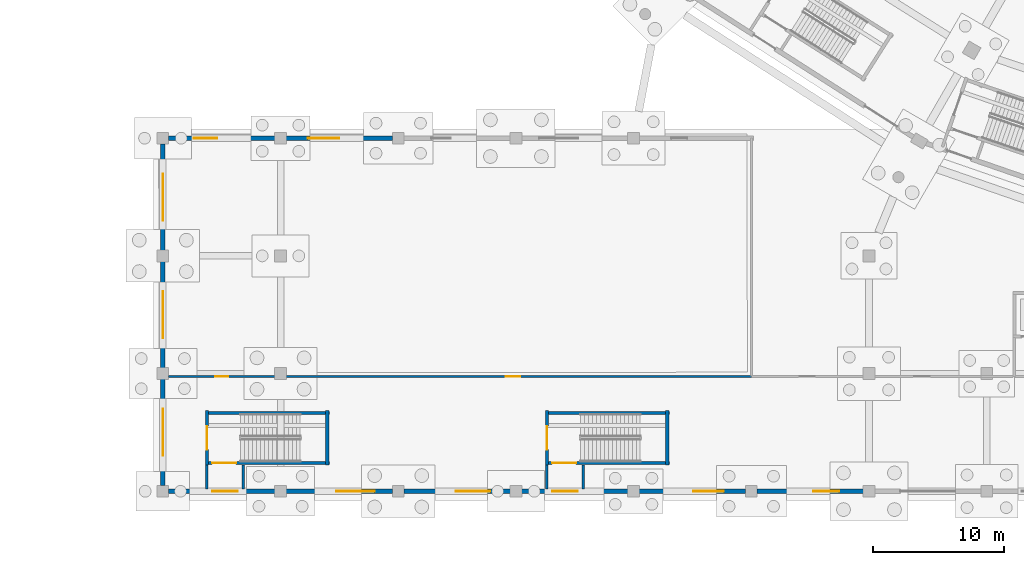
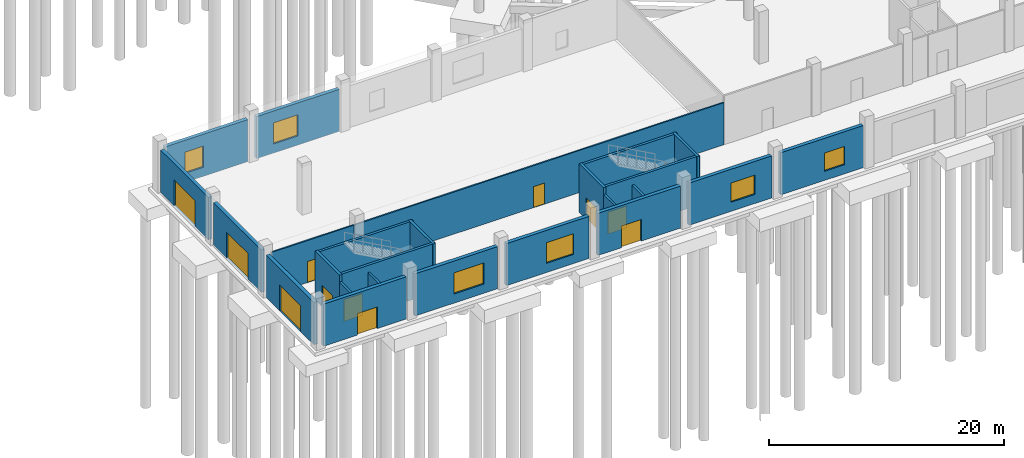
# One storey, part 30 of 103: 25 walls, 11 doors, 6 windows, 17 openings.
"""IFC4 building model written with IfcOpenShell, lengths in metres."""

from ifc_helpers import new_model, si_unit, direction, frame, frame_2d, origin, place, context, subcontext, project, spatial, rectangle, extrude, material, layer, layer_set, type_object, element, fill, save


model = new_model("IFC4")

# Units and contexts
model_context = context("Model", 3, precision=1e-05, world=origin(), true_north=direction((0.0, 1.0)))
body_context = subcontext(model_context, "Body", "Model", "MODEL_VIEW")
ifc_project = project(units=[si_unit("LENGTHUNIT", "METRE"), si_unit("AREAUNIT", "SQUARE_METRE"), si_unit("VOLUMEUNIT", "CUBIC_METRE"), si_unit("PLANEANGLEUNIT", "RADIAN"), si_unit("MASSUNIT", "GRAM", prefix="KILO")], contexts=[model_context])

# Site, building, storey
site_placement = place(None, origin())
site = spatial("IfcSite", under=ifc_project, at=site_placement, CompositionType="ELEMENT")
building_placement = place(site_placement, origin())
building = spatial("IfcBuilding", under=site, at=building_placement, Name="Zevraka Park Crest Stadium", CompositionType="ELEMENT")
storey_placement = place(building_placement, origin())
storey = spatial("IfcBuildingStorey", under=building, at=storey_placement, Name="L00", CompositionType="ELEMENT", Elevation=0.0)

# Wall, opening, window
ifc_material_1 = material(Name="Limestone and red clay brick masonry", Category="masonry")
ifc_layer_1 = layer(ifc_material_1, 0.35009765625)
ifc_layer_set_1 = layer_set([ifc_layer_1], Name="Limestone and red clay brick masonry")
wall_type_1 = type_object("IfcWallType", Name="EW01", PredefinedType="STANDARD", material=ifc_layer_set_1)
wall_1_placement = place(storey_placement, frame((62.574951171875, 0.0, 0.0), z_axis=(0.0, 0.0, 1.0), x_axis=(-1.0, 0.0, 0.0)))
wall_1 = element("IfcWall", 1, at=wall_1_placement, inside=storey, type_object=wall_type_1, Name="Wing External Cavity Wall EW01 L00-SW-S1-3", PredefinedType="STANDARD", context=body_context, shape_type="SweptSolid", body=[
    extrude(rectangle(XDim=8.14990234375, YDim=0.35009765625, at=frame_2d((4.074951171875, 0.0))), origin(), (0.0, 0.0, 1.0), 4.383544921875),
])
opening_1_placement = place(wall_1_placement, frame((1.85302734375, 0.0, 0.949951171875)))
opening_1 = element("IfcOpeningElement", 2, at=opening_1_placement, cuts=wall_1, Name="Opening WN20", PredefinedType="OPENING", context=body_context, shape_type="SweptSolid", body=[
    extrude(rectangle(XDim=2.0, YDim=1.89990234375, at=frame_2d((1.0, 0.949951171875))), frame((0.0, 0.18505859375, 0.0), z_axis=(0.0, -1.0, 0.0), x_axis=(1.0, 0.0, 0.0)), (0.0, 0.0, 1.0), 0.3701171875),
])
ifc_material_2 = material(Name="Solar-control laminated double glazing in aluminium frame", Category="aluminium")
window_type_1 = type_object("IfcWindowType", Name="WN20", PartitioningType="SINGLE_PANEL", PredefinedType="WINDOW", material=ifc_material_2)
window_1_placement = place(opening_1_placement, origin())
window_1 = element("IfcWindow", 3, at=window_1_placement, inside=storey, type_object=window_type_1, Name="Facade Casement Window WN20 W-L00-061", OverallHeight=1.89990234375, OverallWidth=2.0, PartitioningType="SINGLE_PANEL", PredefinedType="WINDOW", context=body_context, shape_type="SweptSolid", body=[
    extrude(rectangle(XDim=2.0, YDim=1.89990234375, at=frame_2d((1.0, 0.949951171875))), frame((0.0, 0.030029296875, 0.0), z_axis=(0.0, -1.0, 0.0), x_axis=(1.0, 0.0, 0.0)), (0.0, 0.0, 1.0), 0.06005859375),
])
fill(opening_1, window_1)

wall_2_placement = place(storey_placement, frame((53.574951171875, 0.0, 0.0), z_axis=(0.0, 0.0, 1.0), x_axis=(-1.0, 0.0, 0.0)))
wall_2 = element("IfcWall", 4, at=wall_2_placement, inside=storey, type_object=wall_type_1, Name="Wing External Cavity Wall EW01 L00-SW-S1-4", PredefinedType="STANDARD", context=body_context, shape_type="SweptSolid", body=[
    extrude(rectangle(XDim=8.14990234375, YDim=0.35009765625, at=frame_2d((4.074951171875, 0.0))), origin(), (0.0, 0.0, 1.0), 4.383544921875),
])
opening_2_placement = place(wall_2_placement, frame((1.677978515625, 0.0, 0.949951171875)))
opening_2 = element("IfcOpeningElement", 5, at=opening_2_placement, cuts=wall_2, Name="Opening WN21", PredefinedType="OPENING", context=body_context, shape_type="SweptSolid", body=[
    extrude(rectangle(XDim=2.35009765625, YDim=2.0, at=frame_2d((1.175048828125, 1.0))), frame((0.0, 0.18505859375, 0.0), z_axis=(0.0, -1.0, 0.0), x_axis=(1.0, 0.0, 0.0)), (0.0, 0.0, 1.0), 0.3701171875),
])
ifc_material_3 = material(Name="Solar-control laminated double glazing in aluminium frame", Category="aluminium")
window_type_2 = type_object("IfcWindowType", Name="WN21", PartitioningType="SINGLE_PANEL", PredefinedType="WINDOW", material=ifc_material_3)
window_2_placement = place(opening_2_placement, origin())
window_2 = element("IfcWindow", 6, at=window_2_placement, inside=storey, type_object=window_type_2, Name="Facade Casement Window WN21 W-L00-062", OverallHeight=2.0, OverallWidth=2.35009765625, PartitioningType="SINGLE_PANEL", PredefinedType="WINDOW", context=body_context, shape_type="SweptSolid", body=[
    extrude(rectangle(XDim=2.35009765625, YDim=2.0, at=frame_2d((1.175048828125, 1.0))), frame((0.0, 0.030029296875, 0.0), z_axis=(0.0, -1.0, 0.0), x_axis=(1.0, 0.0, 0.0)), (0.0, 0.0, 1.0), 0.06005859375),
])
fill(opening_2, window_2)

# Wall, opening, door
wall_3_placement = place(storey_placement, frame((44.574951171875, 0.0, 0.0), z_axis=(0.0, 0.0, 1.0), x_axis=(-1.0, 0.0, 0.0)))
wall_3 = element("IfcWall", 7, at=wall_3_placement, inside=storey, type_object=wall_type_1, Name="Wing External Cavity Wall EW01 L00-SW-S1-5", PredefinedType="STANDARD", context=body_context, shape_type="SweptSolid", body=[
    extrude(rectangle(XDim=8.14990234375, YDim=0.35009765625, at=frame_2d((4.074951171875, 0.0))), origin(), (0.0, 0.0, 1.0), 4.383544921875),
])
opening_3_placement = place(wall_3_placement, frame((3.85009765625, 0.0, 0.0)))
opening_3 = element("IfcOpeningElement", 8, at=opening_3_placement, cuts=wall_3, Name="Opening D-L00-EX-ST52", PredefinedType="OPENING", context=body_context, shape_type="SweptSolid", body=[
    extrude(rectangle(XDim=1.949951171875, YDim=2.25, at=frame_2d((0.97509765625, 1.125))), frame((0.0, 0.18505859375, 0.0), z_axis=(0.0, -1.0, 0.0), x_axis=(1.0, 0.0, 0.0)), (0.0, 0.0, 1.0), 0.3701171875),
])
ifc_material_4 = material(Name="Thermally broken architectural aluminium and safety glass", Category="aluminium")
door_type_1 = type_object("IfcDoorType", Name="ED05", OperationType="NOTDEFINED", PredefinedType="DOOR", material=ifc_material_4)
door_1_placement = place(opening_3_placement, origin())
door_1 = element("IfcDoor", 9, at=door_1_placement, inside=storey, type_object=door_type_1, Name="Stair Final Exit Discharge Door D-L00-EX-ST52", OperationType="DOUBLE_DOOR_SINGLE_SWING", OverallHeight=2.25, OverallWidth=1.949951171875, PredefinedType="DOOR", context=body_context, shape_type="SweptSolid", body=[
    extrude(rectangle(XDim=1.949951171875, YDim=2.25, at=frame_2d((0.97509765625, 1.125))), frame((0.0, 0.02490234375, 0.0), z_axis=(0.0, -1.0, 0.0), x_axis=(1.0, 0.0, 0.0)), (0.0, 0.0, 1.0), 0.050048828125),
])
fill(opening_3, door_1)

# Wall, opening, window
wall_4_placement = place(storey_placement, frame((35.574951171875, 0.0, 0.0), z_axis=(0.0, 0.0, 1.0), x_axis=(-1.0, 0.0, 0.0)))
wall_4 = element("IfcWall", 10, at=wall_4_placement, inside=storey, type_object=wall_type_1, Name="Wing External Cavity Wall EW01 L00-SW-S1-6", PredefinedType="STANDARD", context=body_context, shape_type="SweptSolid", body=[
    extrude(rectangle(XDim=8.14990234375, YDim=0.35009765625, at=frame_2d((4.074951171875, 0.0))), origin(), (0.0, 0.0, 1.0), 4.383544921875),
])
opening_4_placement = place(wall_4_placement, frame((1.528076171875, 0.0, 0.949951171875)))
opening_4 = element("IfcOpeningElement", 11, at=opening_4_placement, cuts=wall_4, Name="Opening WN22", PredefinedType="OPENING", context=body_context, shape_type="SweptSolid", body=[
    extrude(rectangle(XDim=2.64990234375, YDim=2.14990234375, at=frame_2d((1.324951171875, 1.074951171875))), frame((0.0, 0.18505859375, 0.0), z_axis=(0.0, -1.0, 0.0), x_axis=(1.0, 0.0, 0.0)), (0.0, 0.0, 1.0), 0.3701171875),
])
ifc_material_5 = material(Name="Solar-control laminated double glazing in aluminium frame", Category="aluminium")
window_type_3 = type_object("IfcWindowType", Name="WN22", PartitioningType="SINGLE_PANEL", PredefinedType="WINDOW", material=ifc_material_5)
window_3_placement = place(opening_4_placement, origin())
window_3 = element("IfcWindow", 12, at=window_3_placement, inside=storey, type_object=window_type_3, Name="Facade Casement Window WN22 W-L00-063", OverallHeight=2.14990234375, OverallWidth=2.64990234375, PartitioningType="SINGLE_PANEL", PredefinedType="WINDOW", context=body_context, shape_type="SweptSolid", body=[
    extrude(rectangle(XDim=2.64990234375, YDim=2.14990234375, at=frame_2d((1.324951171875, 1.074951171875))), frame((0.0, 0.030029296875, 0.0), z_axis=(0.0, -1.0, 0.0), x_axis=(1.0, 0.0, 0.0)), (0.0, 0.0, 1.0), 0.06005859375),
])
fill(opening_4, window_3)

wall_5_placement = place(storey_placement, frame((26.574951171875, 0.0, 0.0), z_axis=(0.0, 0.0, 1.0), x_axis=(-1.0, 0.0, 0.0)))
wall_5 = element("IfcWall", 13, at=wall_5_placement, inside=storey, type_object=wall_type_1, Name="Wing External Cavity Wall EW01 L00-SW-S1-7", PredefinedType="STANDARD", context=body_context, shape_type="SweptSolid", body=[
    extrude(rectangle(XDim=8.14990234375, YDim=0.35009765625, at=frame_2d((4.074951171875, 0.0))), origin(), (0.0, 0.0, 1.0), 4.383544921875),
])
opening_5_placement = place(wall_5_placement, frame((1.376953125, 0.0, 0.949951171875)))
opening_5 = element("IfcOpeningElement", 14, at=opening_5_placement, cuts=wall_5, Name="Opening WN23", PredefinedType="OPENING", context=body_context, shape_type="SweptSolid", body=[
    extrude(rectangle(XDim=2.949951171875, YDim=2.199951171875, at=frame_2d((1.47509765625, 1.10009765625))), frame((0.0, 0.18505859375, 0.0), z_axis=(0.0, -1.0, 0.0), x_axis=(1.0, 0.0, 0.0)), (0.0, 0.0, 1.0), 0.3701171875),
])
ifc_material_6 = material(Name="Solar-control laminated double glazing in aluminium frame", Category="aluminium")
window_type_4 = type_object("IfcWindowType", Name="WN23", PartitioningType="SINGLE_PANEL", PredefinedType="WINDOW", material=ifc_material_6)
window_4_placement = place(opening_5_placement, origin())
window_4 = element("IfcWindow", 15, at=window_4_placement, inside=storey, type_object=window_type_4, Name="Facade Casement Window WN23 W-L00-064", OverallHeight=2.199951171875, OverallWidth=2.949951171875, PartitioningType="SINGLE_PANEL", PredefinedType="WINDOW", context=body_context, shape_type="SweptSolid", body=[
    extrude(rectangle(XDim=2.949951171875, YDim=2.199951171875, at=frame_2d((1.47509765625, 1.10009765625))), frame((0.0, 0.030029296875, 0.0), z_axis=(0.0, -1.0, 0.0), x_axis=(1.0, 0.0, 0.0)), (0.0, 0.0, 1.0), 0.06005859375),
])
fill(opening_5, window_4)

# Wall, opening, door
wall_6_placement = place(storey_placement, frame((17.574951171875, 0.0, 0.0), z_axis=(0.0, 0.0, 1.0), x_axis=(-1.0, 0.0, 0.0)))
wall_6 = element("IfcWall", 16, at=wall_6_placement, inside=storey, type_object=wall_type_1, Name="Wing External Cavity Wall EW01 L00-SW-S1-8", PredefinedType="STANDARD", context=body_context, shape_type="SweptSolid", body=[
    extrude(rectangle(XDim=8.14990234375, YDim=0.35009765625, at=frame_2d((4.074951171875, 0.0))), origin(), (0.0, 0.0, 1.0), 4.383544921875),
])
opening_6_placement = place(wall_6_placement, frame((2.85009765625, 0.0, 0.0)))
opening_6 = element("IfcOpeningElement", 17, at=opening_6_placement, cuts=wall_6, Name="Opening D-L00-EX-ST51", PredefinedType="OPENING", context=body_context, shape_type="SweptSolid", body=[
    extrude(rectangle(XDim=1.949951171875, YDim=2.25, at=frame_2d((0.97509765625, 1.125))), frame((0.0, 0.18505859375, 0.0), z_axis=(0.0, -1.0, 0.0), x_axis=(1.0, 0.0, 0.0)), (0.0, 0.0, 1.0), 0.3701171875),
])
door_2_placement = place(opening_6_placement, origin())
door_2 = element("IfcDoor", 18, at=door_2_placement, inside=storey, type_object=door_type_1, Name="Stair Final Exit Discharge Door D-L00-EX-ST51", OperationType="DOUBLE_DOOR_SINGLE_SWING", OverallHeight=2.25, OverallWidth=1.949951171875, PredefinedType="DOOR", context=body_context, shape_type="SweptSolid", body=[
    extrude(rectangle(XDim=1.949951171875, YDim=2.25, at=frame_2d((0.97509765625, 1.125))), frame((0.0, 0.02490234375, 0.0), z_axis=(0.0, -1.0, 0.0), x_axis=(1.0, 0.0, 0.0)), (0.0, 0.0, 1.0), 0.050048828125),
])
fill(opening_6, door_2)

wall_7_placement = place(storey_placement, frame((9.0, 0.425048828125, 0.0), z_axis=(0.0, 0.0, 1.0), x_axis=(0.0, 1.0, 0.0)))
wall_7 = element("IfcWall", 19, at=wall_7_placement, inside=storey, type_object=wall_type_1, Name="Wing External Cavity Wall EW01 L00-SW-W-1", PredefinedType="STANDARD", context=body_context, shape_type="SweptSolid", body=[
    extrude(rectangle(XDim=8.14990234375, YDim=0.35009765625, at=frame_2d((4.074951171875, 0.0))), origin(), (0.0, 0.0, 1.0), 4.4169921875),
])
opening_7_placement = place(wall_7_placement, frame((2.27490234375, 0.0, 0.0)))
opening_7 = element("IfcOpeningElement", 20, at=opening_7_placement, cuts=wall_7, Name="Opening D-L00-E50", PredefinedType="OPENING", context=body_context, shape_type="SweptSolid", body=[
    extrude(rectangle(XDim=3.60009765625, YDim=2.699951171875, at=frame_2d((1.800048828125, 1.35009765625))), frame((0.0, 0.18505859375, 0.0), z_axis=(0.0, -1.0, 0.0), x_axis=(1.0, 0.0, 0.0)), (0.0, 0.0, 1.0), 0.3701171875),
])
ifc_material_7 = material(Name="Thermally broken architectural aluminium and safety glass", Category="aluminium")
door_type_2 = type_object("IfcDoorType", Name="ED01", OperationType="NOTDEFINED", PredefinedType="DOOR", material=ifc_material_7)
door_3_placement = place(opening_7_placement, origin())
door_3 = element("IfcDoor", 21, at=door_3_placement, inside=storey, type_object=door_type_2, Name="Concourse Final Exit E50", OperationType="DOUBLE_DOOR_SINGLE_SWING", OverallHeight=2.699951171875, OverallWidth=3.60009765625, PredefinedType="DOOR", context=body_context, shape_type="SweptSolid", body=[
    extrude(rectangle(XDim=3.60009765625, YDim=2.699951171875, at=frame_2d((1.800048828125, 1.35009765625))), frame((0.0, 0.02490234375, 0.0), z_axis=(0.0, -1.0, 0.0), x_axis=(1.0, 0.0, 0.0)), (0.0, 0.0, 1.0), 0.050048828125),
])
fill(opening_7, door_3)

wall_8_placement = place(storey_placement, frame((9.0, 9.425048828125, 0.0), z_axis=(0.0, 0.0, 1.0), x_axis=(0.0, 1.0, 0.0)))
wall_8 = element("IfcWall", 22, at=wall_8_placement, inside=storey, type_object=wall_type_1, Name="Wing External Cavity Wall EW01 L00-SW-W-2", PredefinedType="STANDARD", context=body_context, shape_type="SweptSolid", body=[
    extrude(rectangle(XDim=8.14990234375, YDim=0.35009765625, at=frame_2d((4.074951171875, 0.0))), origin(), (0.0, 0.0, 1.0), 4.4169921875),
])
opening_8_placement = place(wall_8_placement, frame((2.27490234375, 0.0, 0.0)))
opening_8 = element("IfcOpeningElement", 23, at=opening_8_placement, cuts=wall_8, Name="Opening D-L00-E51", PredefinedType="OPENING", context=body_context, shape_type="SweptSolid", body=[
    extrude(rectangle(XDim=3.60009765625, YDim=2.699951171875, at=frame_2d((1.800048828125, 1.35009765625))), frame((0.0, 0.18505859375, 0.0), z_axis=(0.0, -1.0, 0.0), x_axis=(1.0, 0.0, 0.0)), (0.0, 0.0, 1.0), 0.3701171875),
])
door_4_placement = place(opening_8_placement, origin())
door_4 = element("IfcDoor", 24, at=door_4_placement, inside=storey, type_object=door_type_2, Name="Concourse Final Exit E51", OperationType="DOUBLE_DOOR_SINGLE_SWING", OverallHeight=2.699951171875, OverallWidth=3.60009765625, PredefinedType="DOOR", context=body_context, shape_type="SweptSolid", body=[
    extrude(rectangle(XDim=3.60009765625, YDim=2.699951171875, at=frame_2d((1.800048828125, 1.35009765625))), frame((0.0, 0.02490234375, 0.0), z_axis=(0.0, -1.0, 0.0), x_axis=(1.0, 0.0, 0.0)), (0.0, 0.0, 1.0), 0.050048828125),
])
fill(opening_8, door_4)

wall_9_placement = place(storey_placement, frame((9.0, 18.425048828125, 0.0), z_axis=(0.0, 0.0, 1.0), x_axis=(0.0, 1.0, 0.0)))
wall_9 = element("IfcWall", 25, at=wall_9_placement, inside=storey, type_object=wall_type_1, Name="Wing External Cavity Wall EW01 L00-SW-W-3", PredefinedType="STANDARD", context=body_context, shape_type="SweptSolid", body=[
    extrude(rectangle(XDim=8.14990234375, YDim=0.35009765625, at=frame_2d((4.074951171875, 0.0))), origin(), (0.0, 0.0, 1.0), 4.4169921875),
])
opening_9_placement = place(wall_9_placement, frame((2.27490234375, 0.0, 0.0)))
opening_9 = element("IfcOpeningElement", 26, at=opening_9_placement, cuts=wall_9, Name="Opening D-L00-E52", PredefinedType="OPENING", context=body_context, shape_type="SweptSolid", body=[
    extrude(rectangle(XDim=3.60009765625, YDim=2.699951171875, at=frame_2d((1.800048828125, 1.35009765625))), frame((0.0, 0.18505859375, 0.0), z_axis=(0.0, -1.0, 0.0), x_axis=(1.0, 0.0, 0.0)), (0.0, 0.0, 1.0), 0.3701171875),
])
door_5_placement = place(opening_9_placement, origin())
door_5 = element("IfcDoor", 27, at=door_5_placement, inside=storey, type_object=door_type_2, Name="Concourse Final Exit E52", OperationType="DOUBLE_DOOR_SINGLE_SWING", OverallHeight=2.699951171875, OverallWidth=3.60009765625, PredefinedType="DOOR", context=body_context, shape_type="SweptSolid", body=[
    extrude(rectangle(XDim=3.60009765625, YDim=2.699951171875, at=frame_2d((1.800048828125, 1.35009765625))), frame((0.0, 0.02490234375, 0.0), z_axis=(0.0, -1.0, 0.0), x_axis=(1.0, 0.0, 0.0)), (0.0, 0.0, 1.0), 0.050048828125),
])
fill(opening_9, door_5)

# Wall, opening, window
wall_10_placement = place(storey_placement, frame((9.425048828125, 27.0, 0.0), z_axis=(0.0, 0.0, 1.0), x_axis=(1.0, 0.0, 0.0)))
wall_10 = element("IfcWall", 28, at=wall_10_placement, inside=storey, type_object=wall_type_1, Name="Wing External Cavity Wall EW01 L00-SW-N-1", PredefinedType="STANDARD", context=body_context, shape_type="SweptSolid", body=[
    extrude(rectangle(XDim=8.14990234375, YDim=0.35009765625, at=frame_2d((4.074951171875, 0.0))), origin(), (0.0, 0.0, 1.0), 4.383544921875),
])
opening_10_placement = place(wall_10_placement, frame((1.951904296875, 0.0, 0.949951171875)))
opening_10 = element("IfcOpeningElement", 29, at=opening_10_placement, cuts=wall_10, Name="Opening WN01", PredefinedType="OPENING", context=body_context, shape_type="SweptSolid", body=[
    extrude(rectangle(XDim=1.800048828125, YDim=2.199951171875, at=frame_2d((0.89990234375, 1.10009765625))), frame((0.0, 0.18505859375, 0.0), z_axis=(0.0, -1.0, 0.0), x_axis=(1.0, 0.0, 0.0)), (0.0, 0.0, 1.0), 0.3701171875),
])
ifc_material_8 = material(Name="Solar-control laminated double glazing in aluminium frame", Category="aluminium")
window_type_5 = type_object("IfcWindowType", Name="WN01", PartitioningType="SINGLE_PANEL", PredefinedType="WINDOW", material=ifc_material_8)
window_5_placement = place(opening_10_placement, origin())
window_5 = element("IfcWindow", 30, at=window_5_placement, inside=storey, type_object=window_type_5, Name="Facade Casement Window WN01 W-L00-083", OverallHeight=2.199951171875, OverallWidth=1.800048828125, PartitioningType="SINGLE_PANEL", PredefinedType="WINDOW", context=body_context, shape_type="SweptSolid", body=[
    extrude(rectangle(XDim=1.800048828125, YDim=2.199951171875, at=frame_2d((0.89990234375, 1.10009765625))), frame((0.0, 0.030029296875, 0.0), z_axis=(0.0, -1.0, 0.0), x_axis=(1.0, 0.0, 0.0)), (0.0, 0.0, 1.0), 0.06005859375),
])
fill(opening_10, window_5)

wall_11_placement = place(storey_placement, frame((18.425048828125, 27.0, 0.0), z_axis=(0.0, 0.0, 1.0), x_axis=(1.0, 0.0, 0.0)))
wall_11 = element("IfcWall", 31, at=wall_11_placement, inside=storey, type_object=wall_type_1, Name="Wing External Cavity Wall EW01 L00-SW-N-2", PredefinedType="STANDARD", context=body_context, shape_type="SweptSolid", body=[
    extrude(rectangle(XDim=8.14990234375, YDim=0.35009765625, at=frame_2d((4.074951171875, 0.0))), origin(), (0.0, 0.0, 1.0), 4.383544921875),
])
opening_11_placement = place(wall_11_placement, frame((1.652099609375, 0.0, 0.949951171875)))
opening_11 = element("IfcOpeningElement", 32, at=opening_11_placement, cuts=wall_11, Name="Opening WN02", PredefinedType="OPENING", context=body_context, shape_type="SweptSolid", body=[
    extrude(rectangle(XDim=2.39990234375, YDim=2.199951171875, at=frame_2d((1.199951171875, 1.10009765625))), frame((0.0, 0.18505859375, 0.0), z_axis=(0.0, -1.0, 0.0), x_axis=(1.0, 0.0, 0.0)), (0.0, 0.0, 1.0), 0.3701171875),
])
ifc_material_9 = material(Name="Solar-control laminated double glazing in aluminium frame", Category="aluminium")
window_type_6 = type_object("IfcWindowType", Name="WN02", PartitioningType="SINGLE_PANEL", PredefinedType="WINDOW", material=ifc_material_9)
window_6_placement = place(opening_11_placement, origin())
window_6 = element("IfcWindow", 33, at=window_6_placement, inside=storey, type_object=window_type_6, Name="Facade Casement Window WN02 W-L00-084", OverallHeight=2.199951171875, OverallWidth=2.39990234375, PartitioningType="SINGLE_PANEL", PredefinedType="WINDOW", context=body_context, shape_type="SweptSolid", body=[
    extrude(rectangle(XDim=2.39990234375, YDim=2.199951171875, at=frame_2d((1.199951171875, 1.10009765625))), frame((0.0, 0.030029296875, 0.0), z_axis=(0.0, -1.0, 0.0), x_axis=(1.0, 0.0, 0.0)), (0.0, 0.0, 1.0), 0.06005859375),
])
fill(opening_11, window_6)

# Walls
ifc_material_10 = material(Name="Autoclaved aerated masonry blockwork", Category="masonry")
ifc_layer_2 = layer(ifc_material_10, 0.199951171875)
ifc_layer_set_2 = layer_set([ifc_layer_2], Name="Autoclaved aerated masonry blockwork")
wall_type_2 = type_object("IfcWallType", Name="IW01", PredefinedType="PARTITIONING", material=ifc_layer_set_2)
for number, where, z_axis, x_axis, name in (
    (34, (12.35009765625, 2.0, 0.0), (0.0, 0.0, 1.0), (0.0, -1.0, 0.0), "Protected Exit Passageway Wall IW01 ST51-A"),
    (35, (15.14990234375, 2.0, 0.0), (0.0, 0.0, 1.0), (0.0, -1.0, 0.0), "Protected Exit Passageway Wall IW01 ST51-B"),
    (36, (38.35009765625, 2.0, 0.0), (0.0, 0.0, 1.0), (0.0, -1.0, 0.0), "Protected Exit Passageway Wall IW01 ST52-A"),
    (37, (41.14990234375, 2.0, 0.0), (0.0, 0.0, 1.0), (0.0, -1.0, 0.0), "Protected Exit Passageway Wall IW01 ST52-B"),
):
    element("IfcWall", number, at=place(storey_placement, frame(where, z_axis=z_axis, x_axis=x_axis)), inside=storey, type_object=wall_type_2, Name=name, PredefinedType="PARTITIONING", context=body_context, shape_type="SweptSolid", body=[
        extrude(rectangle(XDim=1.844970703125, YDim=0.199951171875, at=frame_2d((0.92236328125, 0.0))), origin(), (0.0, 0.0, 1.0), 4.383544921875),
    ])

# Wall, opening, door
ifc_material_11 = material(Name="Fire-rated twin-stud acoustic drywall", Category="other")
ifc_layer_3 = layer(ifc_material_11, 0.139892578125)
ifc_layer_set_3 = layer_set([ifc_layer_3], Name="Fire-rated twin-stud acoustic drywall")
wall_type_3 = type_object("IfcWallType", Name="IW03", PredefinedType="PARTITIONING", material=ifc_layer_set_3)
wall_12_placement = place(storey_placement, frame((9.43505859375, 8.780029296875, 0.0), z_axis=(0.0, 0.0, 1.0), x_axis=(1.0, 0.0, 0.0)))
wall_12 = element("IfcWall", 38, at=wall_12_placement, inside=storey, type_object=wall_type_3, Name="Interior Partition IW03 Press Conference Auditorium L00", PredefinedType="PARTITIONING", context=body_context, shape_type="SweptSolid", body=[
    extrude(rectangle(XDim=8.1298828125, YDim=0.139892578125, at=frame_2d((4.06494140625, 0.0))), origin(), (0.0, 0.0, 1.0), 4.383544921875),
])
opening_12_placement = place(wall_12_placement, frame((3.554931640625, 0.0, 0.0)))
opening_12 = element("IfcOpeningElement", 39, at=opening_12_placement, cuts=wall_12, Name="Opening D-L00-365", PredefinedType="OPENING", context=body_context, shape_type="SweptSolid", body=[
    extrude(rectangle(XDim=1.02001953125, YDim=2.199951171875, at=frame_2d((0.510009765625, 1.10009765625))), frame((0.0, 0.079833984375, 0.0), z_axis=(0.0, -1.0, 0.0), x_axis=(1.0, 0.0, 0.0)), (0.0, 0.0, 1.0), 0.159912109375),
])
ifc_material_12 = material(Name="Solid-core hardwood timber leaf in steel frame", Category="steel")
door_type_3 = type_object("IfcDoorType", Name="DR21", OperationType="NOTDEFINED", PredefinedType="DOOR", material=ifc_material_12)
door_6_placement = place(opening_12_placement, origin())
door_6 = element("IfcDoor", 40, at=door_6_placement, inside=storey, type_object=door_type_3, Name="Press Conference Auditorium Door D-L00-365", OperationType="SINGLE_SWING_RIGHT", OverallHeight=2.199951171875, OverallWidth=1.02001953125, PredefinedType="DOOR", context=body_context, shape_type="SweptSolid", body=[
    extrude(rectangle(XDim=1.02001953125, YDim=2.199951171875, at=frame_2d((0.510009765625, 1.10009765625))), frame((0.0, 0.02490234375, 0.0), z_axis=(0.0, -1.0, 0.0), x_axis=(1.0, 0.0, 0.0)), (0.0, 0.0, 1.0), 0.050048828125),
])
fill(opening_12, door_6)

wall_13_placement = place(storey_placement, frame((17.550048828125, 8.780029296875, 0.0), z_axis=(0.0, 0.0, 1.0), x_axis=(1.0, 0.0, 0.0)))
wall_13 = element("IfcWall", 41, at=wall_13_placement, inside=storey, type_object=wall_type_3, Name="Interior Partition IW03 Press Conference Auditorium L00", PredefinedType="PARTITIONING", context=body_context, shape_type="SweptSolid", body=[
    extrude(rectangle(XDim=36.449951171875, YDim=0.139892578125, at=frame_2d((18.22509765625, 0.0))), origin(), (0.0, 0.0, 1.0), 4.383544921875),
])
opening_13_placement = place(wall_13_placement, frame((17.68505859375, 0.0, 0.0)))
opening_13 = element("IfcOpeningElement", 42, at=opening_13_placement, cuts=wall_13, Name="Opening D-L00-366", PredefinedType="OPENING", context=body_context, shape_type="SweptSolid", body=[
    extrude(rectangle(XDim=1.080078125, YDim=2.199951171875, at=frame_2d((0.5400390625, 1.10009765625))), frame((0.0, 0.079833984375, 0.0), z_axis=(0.0, -1.0, 0.0), x_axis=(1.0, 0.0, 0.0)), (0.0, 0.0, 1.0), 0.159912109375),
])
ifc_material_13 = material(Name="Solid-core hardwood timber leaf in steel frame", Category="steel")
door_type_4 = type_object("IfcDoorType", Name="DR22", OperationType="NOTDEFINED", PredefinedType="DOOR", material=ifc_material_13)
door_7_placement = place(opening_13_placement, origin())
door_7 = element("IfcDoor", 43, at=door_7_placement, inside=storey, type_object=door_type_4, Name="Press Conference Auditorium Door D-L00-366", OperationType="SINGLE_SWING_LEFT", OverallHeight=2.199951171875, OverallWidth=1.080078125, PredefinedType="DOOR", context=body_context, shape_type="SweptSolid", body=[
    extrude(rectangle(XDim=1.080078125, YDim=2.199951171875, at=frame_2d((0.5400390625, 1.10009765625))), frame((0.0, 0.02490234375, 0.0), z_axis=(0.0, -1.0, 0.0), x_axis=(1.0, 0.0, 0.0)), (0.0, 0.0, 1.0), 0.050048828125),
])
fill(opening_13, door_7)

ifc_material_14 = material(Name="Concrete C40/50", Category="concrete")
ifc_layer_4 = layer(ifc_material_14, 0.25)
ifc_layer_set_4 = layer_set([ifc_layer_4], Name="Concrete C40/50")
wall_type_4 = type_object("IfcWallType", Name="SW01", PredefinedType="SHEAR", material=ifc_layer_set_4)
wall_14_placement = place(storey_placement, frame((21.75, 2.169921875, 0.0), z_axis=(0.0, 0.0, 1.0), x_axis=(-1.0, 0.0, 0.0)))
wall_14 = element("IfcWall", 44, at=wall_14_placement, inside=storey, type_object=wall_type_4, Name="Stair Core Shear Wall SW01 ST51 L00 left", PredefinedType="SHEAR", context=body_context, shape_type="SweptSolid", body=[
    extrude(rectangle(XDim=9.5, YDim=0.25, at=frame_2d((4.75, 0.0))), origin(), (0.0, 0.0, 1.0), 5.10009765625),
])
opening_14_placement = place(wall_14_placement, frame((7.139892578125, 0.0, 0.0)))
opening_14 = element("IfcOpeningElement", 45, at=opening_14_placement, cuts=wall_14, Name="Opening D-L00-264", PredefinedType="OPENING", context=body_context, shape_type="SweptSolid", body=[
    extrude(rectangle(XDim=1.85009765625, YDim=2.300048828125, at=frame_2d((0.925048828125, 1.14990234375))), frame((0.0, 0.135009765625, 0.0), z_axis=(0.0, -1.0, 0.0), x_axis=(1.0, 0.0, 0.0)), (0.0, 0.0, 1.0), 0.27001953125),
])
ifc_material_15 = material(Name="Solid-core hardwood timber leaf in steel frame", Category="steel")
door_type_5 = type_object("IfcDoorType", Name="DR05", OperationType="NOTDEFINED", PredefinedType="DOOR", material=ifc_material_15)
door_8_placement = place(opening_14_placement, origin())
door_8 = element("IfcDoor", 46, at=door_8_placement, inside=storey, type_object=door_type_5, Name="Stair Exit Discharge Door ST51", OperationType="DOUBLE_DOOR_SINGLE_SWING", OverallHeight=2.300048828125, OverallWidth=1.85009765625, PredefinedType="DOOR", context=body_context, shape_type="SweptSolid", body=[
    extrude(rectangle(XDim=1.85009765625, YDim=2.300048828125, at=frame_2d((0.925048828125, 1.14990234375))), frame((0.0, 0.02490234375, 0.0), z_axis=(0.0, -1.0, 0.0), x_axis=(1.0, 0.0, 0.0)), (0.0, 0.0, 1.0), 0.050048828125),
])
fill(opening_14, door_8)

# Wall
wall_15_placement = place(storey_placement, frame((21.75, 5.989990234375, 0.0), z_axis=(0.0, 0.0, 1.0), x_axis=(-1.0, 0.0, 0.0)))
element("IfcWall", 47, at=wall_15_placement, inside=storey, type_object=wall_type_4, Name="Stair Core Shear Wall SW01 ST51 L00 right", PredefinedType="SHEAR", context=body_context, shape_type="SweptSolid", body=[
    extrude(rectangle(XDim=9.5, YDim=0.25, at=frame_2d((4.75, 0.0))), origin(), (0.0, 0.0, 1.0), 5.10009765625),
])

# Wall, opening, door
wall_16_placement = place(storey_placement, frame((12.375, 6.159912109375, 0.0), z_axis=(0.0, 0.0, 1.0), x_axis=(0.0, -1.0, 0.0)))
wall_16 = element("IfcWall", 48, at=wall_16_placement, inside=storey, type_object=wall_type_4, Name="Stair Core Shear Wall SW01 ST51 L00 near", PredefinedType="SHEAR", context=body_context, shape_type="SweptSolid", body=[
    extrude(rectangle(XDim=4.159912109375, YDim=0.25, at=frame_2d((2.080078125, 0.0))), origin(), (0.0, 0.0, 1.0), 5.10009765625),
])
opening_15_placement = place(wall_16_placement, frame((1.179931640625, 0.0, 0.0)))
opening_15 = element("IfcOpeningElement", 49, at=opening_15_placement, cuts=wall_16, Name="Opening D-L00-263", PredefinedType="OPENING", context=body_context, shape_type="SweptSolid", body=[
    extrude(rectangle(XDim=1.800048828125, YDim=2.25, at=frame_2d((0.89990234375, 1.125))), frame((0.0, 0.135009765625, 0.0), z_axis=(0.0, -1.0, 0.0), x_axis=(1.0, 0.0, 0.0)), (0.0, 0.0, 1.0), 0.27001953125),
])
ifc_material_16 = material(Name="Solid-core hardwood timber leaf in steel frame", Category="steel")
door_type_6 = type_object("IfcDoorType", Name="DR04", OperationType="NOTDEFINED", PredefinedType="DOOR", material=ifc_material_16)
door_9_placement = place(opening_15_placement, origin())
door_9 = element("IfcDoor", 50, at=door_9_placement, inside=storey, type_object=door_type_6, Name="Protected Stair Entry Door ST51 L00", OperationType="DOUBLE_DOOR_SINGLE_SWING", OverallHeight=2.25, OverallWidth=1.800048828125, PredefinedType="DOOR", context=body_context, shape_type="SweptSolid", body=[
    extrude(rectangle(XDim=1.800048828125, YDim=2.25, at=frame_2d((0.89990234375, 1.125))), frame((0.0, 0.02490234375, 0.0), z_axis=(0.0, -1.0, 0.0), x_axis=(1.0, 0.0, 0.0)), (0.0, 0.0, 1.0), 0.050048828125),
])
fill(opening_15, door_9)

# Wall
wall_17_placement = place(storey_placement, frame((21.56494140625, 2.0, 0.0), z_axis=(0.0, 0.0, 1.0), x_axis=(0.0, 1.0, 0.0)))
element("IfcWall", 51, at=wall_17_placement, inside=storey, type_object=wall_type_4, Name="Stair Core Shear Wall SW01 ST51 L00 far", PredefinedType="SHEAR", context=body_context, shape_type="SweptSolid", body=[
    extrude(rectangle(XDim=4.159912109375, YDim=0.25, at=frame_2d((2.080078125, 0.0))), origin(), (0.0, 0.0, 1.0), 5.10009765625),
])

# Wall, opening, door
wall_18_placement = place(storey_placement, frame((47.75, 2.169921875, 0.0), z_axis=(0.0, 0.0, 1.0), x_axis=(-1.0, 0.0, 0.0)))
wall_18 = element("IfcWall", 52, at=wall_18_placement, inside=storey, type_object=wall_type_4, Name="Stair Core Shear Wall SW01 ST52 L00 left", PredefinedType="SHEAR", context=body_context, shape_type="SweptSolid", body=[
    extrude(rectangle(XDim=9.5, YDim=0.25, at=frame_2d((4.75, 0.0))), origin(), (0.0, 0.0, 1.0), 5.10009765625),
])
opening_16_placement = place(wall_18_placement, frame((7.139892578125, 0.0, 0.0)))
opening_16 = element("IfcOpeningElement", 53, at=opening_16_placement, cuts=wall_18, Name="Opening D-L00-269", PredefinedType="OPENING", context=body_context, shape_type="SweptSolid", body=[
    extrude(rectangle(XDim=1.85009765625, YDim=2.300048828125, at=frame_2d((0.925048828125, 1.14990234375))), frame((0.0, 0.135009765625, 0.0), z_axis=(0.0, -1.0, 0.0), x_axis=(1.0, 0.0, 0.0)), (0.0, 0.0, 1.0), 0.27001953125),
])
door_10_placement = place(opening_16_placement, origin())
door_10 = element("IfcDoor", 54, at=door_10_placement, inside=storey, type_object=door_type_5, Name="Stair Exit Discharge Door ST52", OperationType="DOUBLE_DOOR_SINGLE_SWING", OverallHeight=2.300048828125, OverallWidth=1.85009765625, PredefinedType="DOOR", context=body_context, shape_type="SweptSolid", body=[
    extrude(rectangle(XDim=1.85009765625, YDim=2.300048828125, at=frame_2d((0.925048828125, 1.14990234375))), frame((0.0, 0.02490234375, 0.0), z_axis=(0.0, -1.0, 0.0), x_axis=(1.0, 0.0, 0.0)), (0.0, 0.0, 1.0), 0.050048828125),
])
fill(opening_16, door_10)

# Wall
wall_19_placement = place(storey_placement, frame((47.75, 5.989990234375, 0.0), z_axis=(0.0, 0.0, 1.0), x_axis=(-1.0, 0.0, 0.0)))
element("IfcWall", 55, at=wall_19_placement, inside=storey, type_object=wall_type_4, Name="Stair Core Shear Wall SW01 ST52 L00 right", PredefinedType="SHEAR", context=body_context, shape_type="SweptSolid", body=[
    extrude(rectangle(XDim=9.5, YDim=0.25, at=frame_2d((4.75, 0.0))), origin(), (0.0, 0.0, 1.0), 5.10009765625),
])

# Wall, opening, door
wall_20_placement = place(storey_placement, frame((38.375, 6.159912109375, 0.0), z_axis=(0.0, 0.0, 1.0), x_axis=(0.0, -1.0, 0.0)))
wall_20 = element("IfcWall", 56, at=wall_20_placement, inside=storey, type_object=wall_type_4, Name="Stair Core Shear Wall SW01 ST52 L00 near", PredefinedType="SHEAR", context=body_context, shape_type="SweptSolid", body=[
    extrude(rectangle(XDim=4.159912109375, YDim=0.25, at=frame_2d((2.080078125, 0.0))), origin(), (0.0, 0.0, 1.0), 5.10009765625),
])
opening_17_placement = place(wall_20_placement, frame((1.179931640625, 0.0, 0.0)))
opening_17 = element("IfcOpeningElement", 57, at=opening_17_placement, cuts=wall_20, Name="Opening D-L00-268", PredefinedType="OPENING", context=body_context, shape_type="SweptSolid", body=[
    extrude(rectangle(XDim=1.800048828125, YDim=2.25, at=frame_2d((0.89990234375, 1.125))), frame((0.0, 0.135009765625, 0.0), z_axis=(0.0, -1.0, 0.0), x_axis=(1.0, 0.0, 0.0)), (0.0, 0.0, 1.0), 0.27001953125),
])
door_11_placement = place(opening_17_placement, origin())
door_11 = element("IfcDoor", 58, at=door_11_placement, inside=storey, type_object=door_type_6, Name="Protected Stair Entry Door ST52 L00", OperationType="DOUBLE_DOOR_SINGLE_SWING", OverallHeight=2.25, OverallWidth=1.800048828125, PredefinedType="DOOR", context=body_context, shape_type="SweptSolid", body=[
    extrude(rectangle(XDim=1.800048828125, YDim=2.25, at=frame_2d((0.89990234375, 1.125))), frame((0.0, 0.02490234375, 0.0), z_axis=(0.0, -1.0, 0.0), x_axis=(1.0, 0.0, 0.0)), (0.0, 0.0, 1.0), 0.050048828125),
])
fill(opening_17, door_11)

# Wall
wall_21_placement = place(storey_placement, frame((47.56494140625, 2.0, 0.0), z_axis=(0.0, 0.0, 1.0), x_axis=(0.0, 1.0, 0.0)))
element("IfcWall", 59, at=wall_21_placement, inside=storey, type_object=wall_type_4, Name="Stair Core Shear Wall SW01 ST52 L00 far", PredefinedType="SHEAR", context=body_context, shape_type="SweptSolid", body=[
    extrude(rectangle(XDim=4.159912109375, YDim=0.25, at=frame_2d((2.080078125, 0.0))), origin(), (0.0, 0.0, 1.0), 5.10009765625),
])

save(model, "model.ifc")
